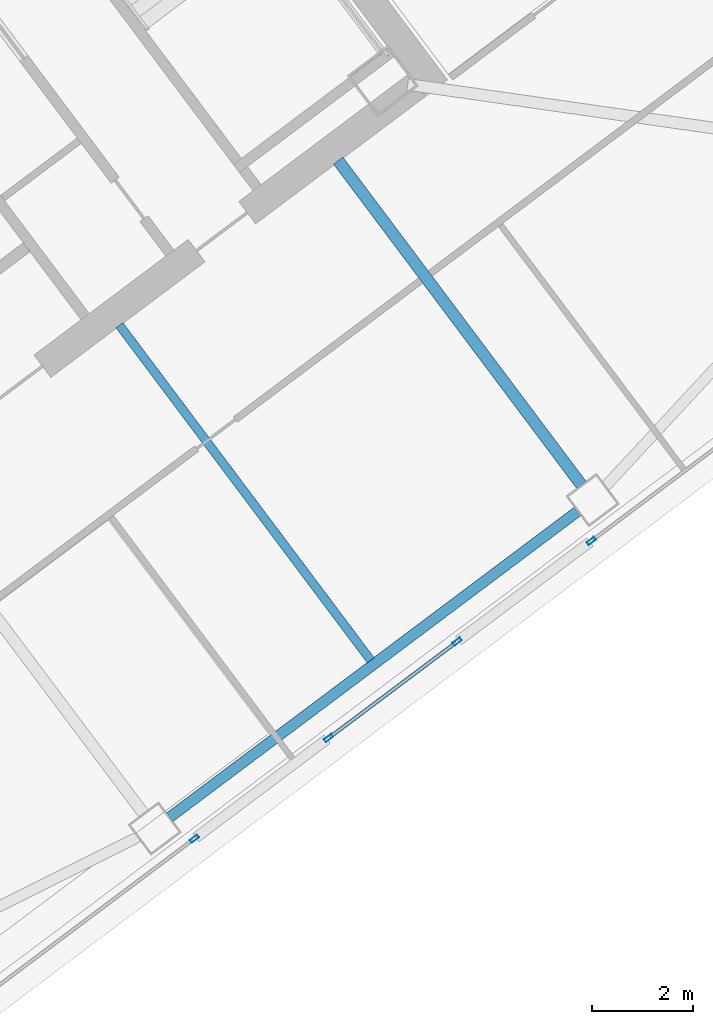
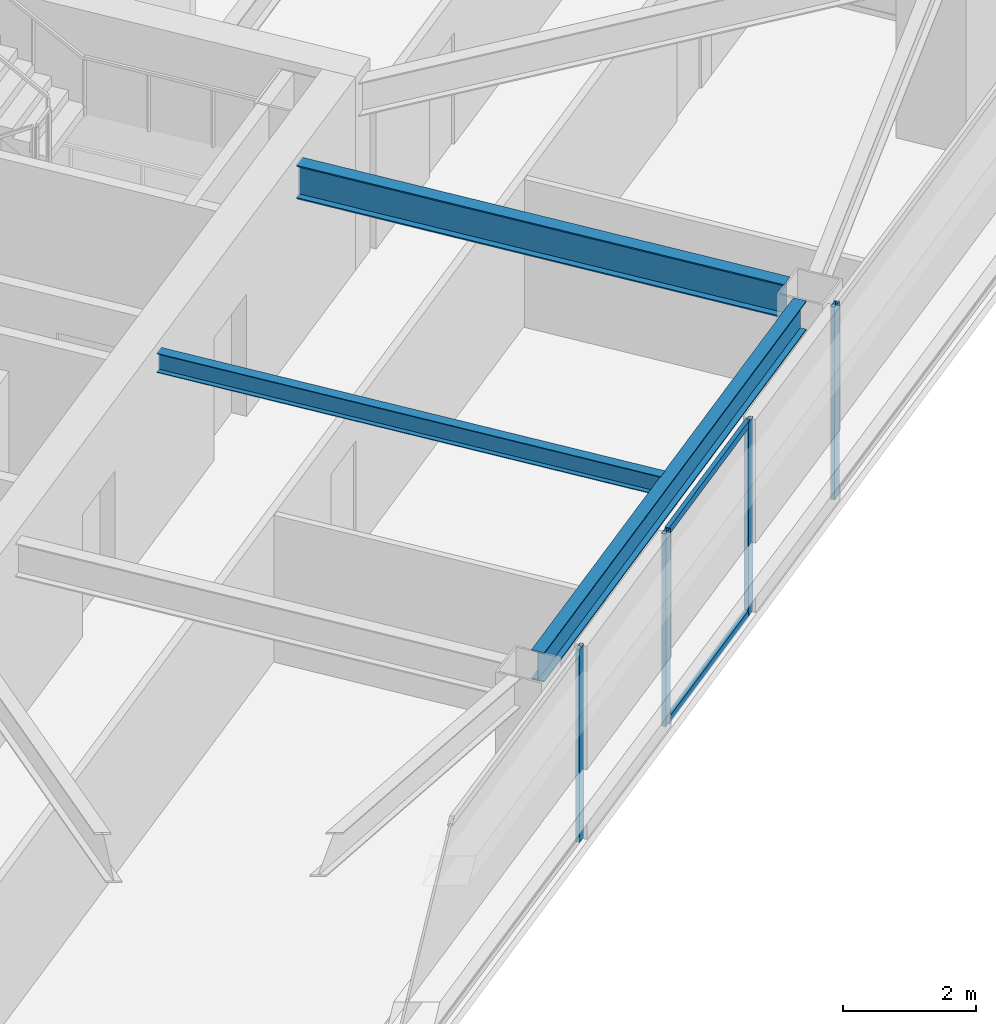
# One storey, part 24 of 43: 6 members, 3 beams, 3 elements without a shape of their own.
"""IFC4 building model written with IfcOpenShell, lengths in metres."""

from ifc_helpers import new_model, si_unit, direction, frame, origin, origin_2d, place, context, subcontext, project, spatial, hollow_rectangle, i_section, extrude, material, material_profile, profile_set, type_object, element, aggregate, save


model = new_model("IFC4")

# Units and contexts
model_context = context("Model", 3, precision=1e-05, world=origin(), true_north=direction((0.0, 1.0)))
body_context = subcontext(model_context, "Body", "Model", "MODEL_VIEW")
ifc_project = project(units=[si_unit("LENGTHUNIT", "METRE"), si_unit("AREAUNIT", "SQUARE_METRE"), si_unit("VOLUMEUNIT", "CUBIC_METRE"), si_unit("PLANEANGLEUNIT", "RADIAN"), si_unit("MASSUNIT", "GRAM", prefix="KILO")], contexts=[model_context])

# Site, building, storey
site_placement = place(None, origin())
site = spatial("IfcSite", under=ifc_project, at=site_placement, CompositionType="ELEMENT")
building_placement = place(site_placement, origin())
building = spatial("IfcBuilding", under=site, at=building_placement, Name="Tashvorn Skyway Center", CompositionType="ELEMENT")
storey_placement = place(building_placement, frame((0.0, 0.0, 188.949951171875)))
storey = spatial("IfcBuildingStorey", under=building, at=storey_placement, Name="L51", CompositionType="ELEMENT", Elevation=188.949951171875)

# Beams
ifc_material_1 = material(Name="Steel ASTM A992 Grade 50", Category="steel")
ifc_material_profile_1 = material_profile(ifc_material_1, i_section(OverallWidth=0.22998046875, OverallDepth=0.616943359375, WebThickness=0.01318359375, FlangeThickness=0.022216796875, at=origin_2d()), Name="W24X94")
ifc_profile_set_1 = profile_set([ifc_material_profile_1], Name="Steel ASTM A992 Grade 50")
beam_type_1 = type_object("IfcBeamType", Name="BM-BEAM-W24X94", PredefinedType="BEAM", material=ifc_profile_set_1)
beam_1_placement = place(storey_placement, frame((127.7880859375, 22.615966796875, 3.0615234375), z_axis=(-0.599995117266, 0.800003662027, 0.0), x_axis=(-0.800003662027, -0.599995117266, 0.0)))
element("IfcBeam", 1, at=beam_1_placement, inside=storey, type_object=beam_type_1, Name="Tower 2 L51 Primary Floor Girder FC-S2", PredefinedType="BEAM", context=body_context, shape_type="SweptSolid", body=[
    extrude(i_section(OverallWidth=0.22998046875, OverallDepth=0.616943359375, WebThickness=0.01318359375, FlangeThickness=0.022216796875, at=origin_2d()), origin(), (0.0, 0.0, 1.0), 8.000244140625),
])
ifc_material_profile_2 = material_profile(ifc_material_1, i_section(OverallWidth=0.1708984375, OverallDepth=0.35498046875, WebThickness=0.007080078125, FlangeThickness=0.01171875, at=origin_2d()), Name="W14X34")
ifc_profile_set_2 = profile_set([ifc_material_profile_2], Name="Steel ASTM A992 Grade 50")
beam_type_2 = type_object("IfcBeamType", Name="BM-JOIST-W14X34", PredefinedType="JOIST", material=ifc_profile_set_2)
beam_2_placement = place(storey_placement, frame((118.674072265625, 25.76806640625, 3.192626953125), z_axis=(0.59999527236, -0.800003545708, 0.0), x_axis=(0.800003545708, 0.59999527236, 0.0)))
element("IfcBeam", 2, at=beam_2_placement, inside=storey, type_object=beam_type_2, Name="Tower 2 L51 Secondary Composite Joist JS", PredefinedType="JOIST", context=body_context, shape_type="SweptSolid", body=[
    extrude(i_section(OverallWidth=0.1708984375, OverallDepth=0.35498046875, WebThickness=0.007080078125, FlangeThickness=0.01171875, at=origin_2d()), origin(), (0.0, 0.0, 1.0), 8.2626953125),
])
ifc_material_profile_3 = material_profile(ifc_material_1, i_section(OverallWidth=0.2109375, OverallDepth=0.5390625, WebThickness=0.01171875, FlangeThickness=0.018798828125, at=origin_2d()), Name="W21X73")
ifc_profile_set_3 = profile_set([ifc_material_profile_3], Name="Steel ASTM A992 Grade 50")
beam_type_3 = type_object("IfcBeamType", Name="BM-SPANDREL-W21X73", PredefinedType="SPANDREL", material=ifc_profile_set_3)
beam_3_placement = place(storey_placement, frame((119.666015625, 16.06201171875, 3.1005859375), z_axis=(0.800008736549, 0.599988351091, 0.0), x_axis=(-0.599988351091, 0.800008736549, 0.0)))
element("IfcBeam", 3, at=beam_3_placement, inside=storey, type_object=beam_type_3, Name="Tower 2 L51 Spandrel Beam 02", PredefinedType="SPANDREL", context=body_context, shape_type="SweptSolid", body=[
    extrude(i_section(OverallWidth=0.2109375, OverallDepth=0.5390625, WebThickness=0.01171875, FlangeThickness=0.018798828125, at=origin_2d()), origin(), (0.0, 0.0, 1.0), 10.06005859375),
])

# Curtain wall, member
ifc_material_2 = material(Name="Thermally broken bronze-anodized aluminium 6063-T6", Category="aluminium")
curtain_wall_type = type_object("IfcCurtainWallType", Name="CW-CW-Z4", PredefinedType="NOTDEFINED", material=ifc_material_2)
curtain_wall_1_placement = place(storey_placement, origin())
curtain_wall_1 = element("IfcCurtainWall", 4, at=curtain_wall_1_placement, inside=storey, type_object=curtain_wall_type, Name="Tower 2 L51 South Unitised Curtain Wall Glazing Group 1", PredefinedType="NOTDEFINED")
ifc_material_profile_4 = material_profile(ifc_material_2, hollow_rectangle(XDim=0.070068359375, YDim=0.179931640625, WallThickness=0.00390625, at=origin_2d()), Name="ALU-MULL-70x180")
ifc_profile_set_4 = profile_set([ifc_material_profile_4], Name="Thermally broken bronze-anodized aluminium 6063-T6")
member_type_1 = type_object("IfcMemberType", Name="CWM-CW-Z4", PredefinedType="MULLION", material=ifc_profile_set_4)
member_1_placement = place(storey_placement, frame((127.98388671875, 21.512939453125, 0.0), z_axis=(0.0, 0.0, 1.0), x_axis=(0.600000000002, -0.799999999998, 0.0)))
member_1 = element("IfcMember", 5, at=member_1_placement, type_object=member_type_1, Name="CW-Z4 mullion 2", PredefinedType="MULLION", context=body_context, shape_type="SweptSolid", body=[
    extrude(hollow_rectangle(XDim=0.070068359375, YDim=0.179931640625, WallThickness=0.00390625, at=origin_2d()), origin(), (0.0, 0.0, 1.0), 3.550048828125),
])
aggregate(curtain_wall_1, [member_1])

# Curtain wall, members
curtain_wall_2_placement = place(storey_placement, origin())
curtain_wall_2 = element("IfcCurtainWall", 6, at=curtain_wall_2_placement, inside=storey, type_object=curtain_wall_type, Name="Tower 2 L51 South Unitised Curtain Wall Glazing Group 2", PredefinedType="NOTDEFINED")
member_2_placement = place(storey_placement, frame((125.3359375, 19.527099609375, 0.0), z_axis=(0.0, 0.0, 1.0), x_axis=(0.600000000002, -0.799999999998, 0.0)))
member_2 = element("IfcMember", 7, at=member_2_placement, type_object=member_type_1, Name="CW-Z4 mullion 1", PredefinedType="MULLION", context=body_context, shape_type="SweptSolid", body=[
    extrude(hollow_rectangle(XDim=0.070068359375, YDim=0.179931640625, WallThickness=0.00390625, at=origin_2d()), origin(), (0.0, 0.0, 1.0), 3.550048828125),
])
member_3_placement = place(storey_placement, frame((122.800048828125, 17.625, 0.0), z_axis=(0.0, 0.0, 1.0), x_axis=(0.600000000002, -0.799999999998, 0.0)))
member_3 = element("IfcMember", 8, at=member_3_placement, type_object=member_type_1, Name="CW-Z4 mullion 2", PredefinedType="MULLION", context=body_context, shape_type="SweptSolid", body=[
    extrude(hollow_rectangle(XDim=0.070068359375, YDim=0.179931640625, WallThickness=0.00390625, at=origin_2d()), origin(), (0.0, 0.0, 1.0), 3.550048828125),
])

# Curtain wall, member
curtain_wall_3_placement = place(storey_placement, origin())
curtain_wall_3 = element("IfcCurtainWall", 9, at=curtain_wall_3_placement, inside=storey, type_object=curtain_wall_type, Name="Tower 2 L51 South Unitised Curtain Wall Glazing Group 3", PredefinedType="NOTDEFINED")
member_4_placement = place(storey_placement, frame((120.152099609375, 15.638916015625, 0.0), z_axis=(0.0, 0.0, 1.0), x_axis=(0.600000000002, -0.799999999998, 0.0)))
member_4 = element("IfcMember", 10, at=member_4_placement, type_object=member_type_1, Name="CW-Z4 mullion 1", PredefinedType="MULLION", context=body_context, shape_type="SweptSolid", body=[
    extrude(hollow_rectangle(XDim=0.070068359375, YDim=0.179931640625, WallThickness=0.00390625, at=origin_2d()), origin(), (0.0, 0.0, 1.0), 3.550048828125),
])
aggregate(curtain_wall_3, [member_4])

# Member
ifc_material_profile_5 = material_profile(ifc_material_2, hollow_rectangle(XDim=0.070068359375, YDim=0.1298828125, WallThickness=0.00390625, at=origin_2d()), Name="ALU-TRAN-70x130")
ifc_profile_set_5 = profile_set([ifc_material_profile_5], Name="Thermally broken bronze-anodized aluminium 6063-T6")
member_type_2 = type_object("IfcMemberType", Name="CWT-CW-Z4", PredefinedType="USERDEFINED", material=ifc_profile_set_5)
member_5_placement = place(storey_placement, frame((125.30810546875, 19.506103515625, 0.03515625), z_axis=(-0.800009449761, -0.599987400111, 0.0), x_axis=(0.599987400111, -0.800009449761, 0.0)))
member_5 = element("IfcMember", 11, at=member_5_placement, type_object=member_type_2, Name="CW-Z4 transom 1.1", ObjectType="TRANSOM", PredefinedType="USERDEFINED", context=body_context, shape_type="SweptSolid", body=[
    extrude(hollow_rectangle(XDim=0.070068359375, YDim=0.1298828125, WallThickness=0.00390625, at=origin_2d()), origin(), (0.0, 0.0, 1.0), 3.100341796875),
])

member_6_placement = place(storey_placement, frame((125.30810546875, 19.506103515625, 3.51513671875), z_axis=(-0.800009449761, -0.599987400111, 0.0), x_axis=(0.599987400111, -0.800009449761, 0.0)))
member_6 = element("IfcMember", 12, at=member_6_placement, type_object=member_type_2, Name="CW-Z4 transom 1.2", ObjectType="TRANSOM", PredefinedType="USERDEFINED", context=body_context, shape_type="SweptSolid", body=[
    extrude(hollow_rectangle(XDim=0.070068359375, YDim=0.1298828125, WallThickness=0.00390625, at=origin_2d()), origin(), (0.0, 0.0, 1.0), 3.100341796875),
])

aggregate(curtain_wall_2, [member_2, member_3, member_5, member_6])

save(model, "model.ifc")
